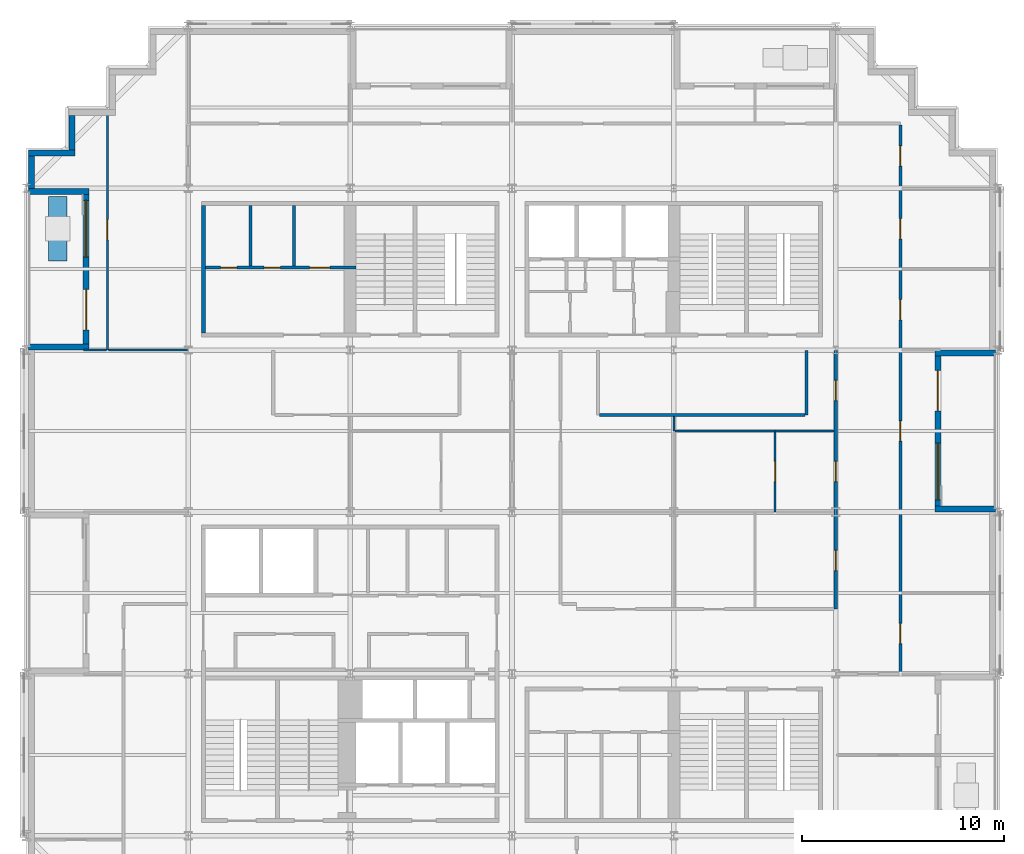
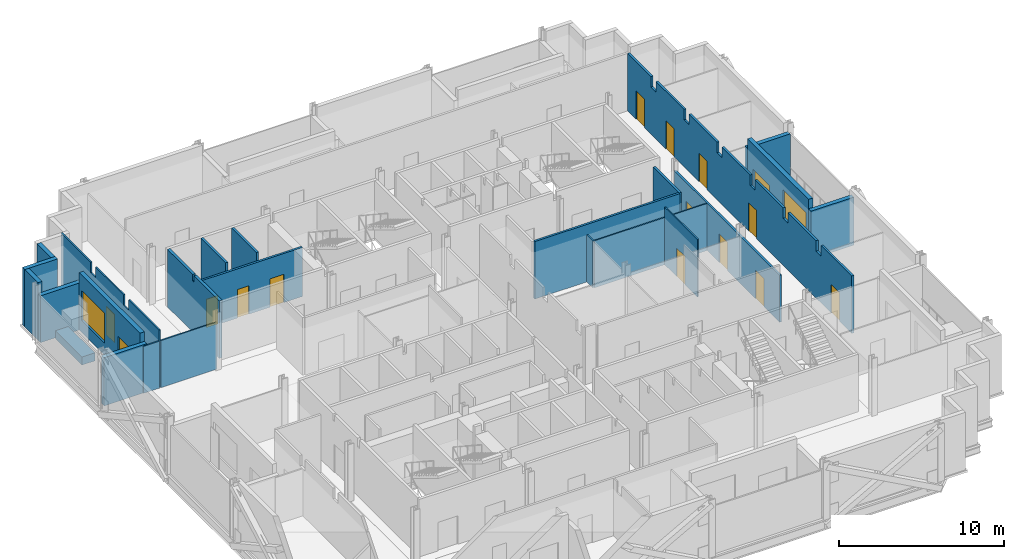
# One storey, part 9 of 15: 25 walls, 15 doors, 2 windows, 17 openings.
"""IFC4 building model written with IfcOpenShell, lengths in metres."""

from ifc_helpers import new_model, si_unit, direction, frame, frame_2d, origin, place, context, subcontext, project, spatial, polyline, rectangle, outline, extrude, material, layer, layer_set, type_object, element, fill, save


model = new_model("IFC4")

# Units and contexts
model_context = context("Model", 3, precision=1e-05, world=origin(), true_north=direction((0.0, 1.0)))
body_context = subcontext(model_context, "Body", "Model", "MODEL_VIEW")
ifc_project = project(units=[si_unit("LENGTHUNIT", "METRE"), si_unit("AREAUNIT", "SQUARE_METRE"), si_unit("VOLUMEUNIT", "CUBIC_METRE"), si_unit("PLANEANGLEUNIT", "RADIAN"), si_unit("MASSUNIT", "GRAM", prefix="KILO")], contexts=[model_context])

# Site, building, storey
site_placement = place(None, origin())
site = spatial("IfcSite", under=ifc_project, at=site_placement, CompositionType="ELEMENT")
building_placement = place(site_placement, origin())
building = spatial("IfcBuilding", under=site, at=building_placement, Name="Immortelle Media Tower", CompositionType="ELEMENT")
storey_placement = place(building_placement, frame((0.0, 0.0, 87.60009765625)))
storey = spatial("IfcBuildingStorey", under=building, at=storey_placement, Name="L16", CompositionType="ELEMENT", Elevation=87.60009765625)

# Wall, openings, doors
ifc_material_1 = material(Name="Fire-rated gypsum board", Category="gypsum")
ifc_layer_1 = layer(ifc_material_1, 0.02490234375)
ifc_material_2 = material(Name="Steel ASTM A653 SS Gr 50 stud frame with mineral wool", Category="steel")
ifc_layer_2 = layer(ifc_material_2, 0.10009765625)
ifc_layer_3 = layer(ifc_material_1, 0.02490234375)
ifc_layer_set_1 = layer_set([ifc_layer_1, ifc_layer_2, ifc_layer_3], Name="Steel ASTM A653 SS Gr 50 stud frame with mineral wool")
wall_type_1 = type_object("IfcWallType", Name="Core partition 150", PredefinedType="PARTITIONING", material=ifc_layer_set_1)
wall_1_placement = place(storey_placement, frame((8.85009765625, 36.074951171875, 0.0), z_axis=(0.0, 0.0, 1.0), x_axis=(1.0, 0.0, 0.0)))
wall_1 = element("IfcWall", 1, at=wall_1_placement, inside=storey, type_object=wall_type_1, Name="Core partition NW", PredefinedType="PARTITIONING", context=body_context, shape_type="SweptSolid", body=[
    extrude(rectangle(XDim=7.449951171875, YDim=0.14990234375, at=frame_2d((3.72509765625, 0.0))), origin(), (0.0, 0.0, 1.0), 3.6318359375),
])
opening_1_placement = place(wall_1_placement, frame((0.75, 0.0, 0.0)))
opening_1 = element("IfcOpeningElement", 2, at=opening_1_placement, cuts=wall_1, Name="Opening N5-K024", PredefinedType="OPENING", context=body_context, shape_type="SweptSolid", body=[
    extrude(rectangle(XDim=0.800048828125, YDim=2.10009765625, at=frame_2d((0.39990234375, 1.050048828125))), frame((0.0, 0.0849609375, 0.0), z_axis=(0.0, -1.0, 0.0), x_axis=(1.0, 0.0, 0.0)), (0.0, 0.0, 1.0), 0.169921875),
])
opening_2_placement = place(wall_1_placement, frame((2.89990234375, 0.0, 0.0)))
opening_2 = element("IfcOpeningElement", 3, at=opening_2_placement, cuts=wall_1, Name="Opening N5-K025", PredefinedType="OPENING", context=body_context, shape_type="SweptSolid", body=[
    extrude(rectangle(XDim=0.800048828125, YDim=2.10009765625, at=frame_2d((0.39990234375, 1.050048828125))), frame((0.0, 0.0849609375, 0.0), z_axis=(0.0, -1.0, 0.0), x_axis=(1.0, 0.0, 0.0)), (0.0, 0.0, 1.0), 0.169921875),
])
opening_3_placement = place(wall_1_placement, frame((5.14990234375, 0.0, 0.0)))
opening_3 = element("IfcOpeningElement", 4, at=opening_3_placement, cuts=wall_1, Name="Opening N5-K027", PredefinedType="OPENING", context=body_context, shape_type="SweptSolid", body=[
    extrude(rectangle(XDim=1.0, YDim=2.10009765625, at=frame_2d((0.5, 1.050048828125))), frame((0.0, 0.0849609375, 0.0), z_axis=(0.0, -1.0, 0.0), x_axis=(1.0, 0.0, 0.0)), (0.0, 0.0, 1.0), 0.169921875),
])
ifc_material_3 = material(Name="Timber", Category="wood")
door_type_1 = type_object("IfcDoorType", Name="Accessible toilet door 1000 x 2100", OperationType="NOTDEFINED", PredefinedType="NOTDEFINED", material=ifc_material_3)
door_1_placement = place(opening_3_placement, origin())
door_1 = element("IfcDoor", 5, at=door_1_placement, inside=storey, type_object=door_type_1, Name="Accessible toilet N5-K027", OperationType="SINGLE_SWING_LEFT", OverallHeight=2.10009765625, OverallWidth=1.0, PredefinedType="NOTDEFINED", context=body_context, shape_type="SweptSolid", body=[
    extrude(rectangle(XDim=1.0, YDim=2.10009765625, at=frame_2d((0.5, 1.050048828125))), frame((0.0, 0.02490234375, 0.0), z_axis=(0.0, -1.0, 0.0), x_axis=(1.0, 0.0, 0.0)), (0.0, 0.0, 1.0), 0.050048828125),
])
fill(opening_3, door_1)
door_type_2 = type_object("IfcDoorType", Name="Toilet door 800 x 2100", OperationType="NOTDEFINED", PredefinedType="NOTDEFINED", material=ifc_material_3)
door_2_placement = place(opening_1_placement, origin())
door_2 = element("IfcDoor", 6, at=door_2_placement, inside=storey, type_object=door_type_2, Name="Toilet N5-K024", OperationType="SINGLE_SWING_RIGHT", OverallHeight=2.10009765625, OverallWidth=0.800048828125, PredefinedType="NOTDEFINED", context=body_context, shape_type="SweptSolid", body=[
    extrude(rectangle(XDim=0.800048828125, YDim=2.10009765625, at=frame_2d((0.39990234375, 1.050048828125))), frame((0.0, 0.02490234375, 0.0), z_axis=(0.0, -1.0, 0.0), x_axis=(1.0, 0.0, 0.0)), (0.0, 0.0, 1.0), 0.050048828125),
])
fill(opening_1, door_2)
door_3_placement = place(opening_2_placement, origin())
door_3 = element("IfcDoor", 7, at=door_3_placement, inside=storey, type_object=door_type_2, Name="Toilet N5-K025", OperationType="SINGLE_SWING_RIGHT", OverallHeight=2.10009765625, OverallWidth=0.800048828125, PredefinedType="NOTDEFINED", context=body_context, shape_type="SweptSolid", body=[
    extrude(rectangle(XDim=0.800048828125, YDim=2.10009765625, at=frame_2d((0.39990234375, 1.050048828125))), frame((0.0, 0.02490234375, 0.0), z_axis=(0.0, -1.0, 0.0), x_axis=(1.0, 0.0, 0.0)), (0.0, 0.0, 1.0), 0.050048828125),
])
fill(opening_2, door_3)

# Walls
for number, where, z_axis, x_axis, name in (
    (8, (11.074951171875, 36.14990234375, 0.0), (0.0, 0.0, 1.0), (0.0, 1.0, 0.0), "Core partition NW"),
    (9, (13.22509765625, 36.14990234375, 0.0), (0.0, 0.0, 1.0), (0.0, 1.0, 0.0), "Core partition NW"),
):
    element("IfcWall", number, at=place(storey_placement, frame(where, z_axis=z_axis, x_axis=x_axis)), inside=storey, type_object=wall_type_1, Name=name, PredefinedType="PARTITIONING", context=body_context, shape_type="SweptSolid", body=[
        extrude(rectangle(XDim=3.0, YDim=0.14990234375, at=frame_2d((1.5, 0.0))), origin(), (0.0, 0.0, 1.0), 4.25),
    ])
ifc_layer_4 = layer(ifc_material_1, 0.03759765625)
ifc_layer_5 = layer(ifc_material_2, 0.125)
ifc_layer_6 = layer(ifc_material_1, 0.03759765625)
ifc_layer_set_2 = layer_set([ifc_layer_4, ifc_layer_5, ifc_layer_6], Name="Steel ASTM A653 SS Gr 50 stud frame with mineral wool")
wall_type_2 = type_object("IfcWallType", Name="Core shaft wall 200", PredefinedType="PARTITIONING", material=ifc_layer_set_2)
wall_2_placement = place(storey_placement, frame((8.75, 32.85009765625, 0.0), z_axis=(0.0, 0.0, 1.0), x_axis=(0.0, 1.0, 0.0)))
element("IfcWall", 10, at=wall_2_placement, inside=storey, type_object=wall_type_2, Name="Core shaft wall NW", PredefinedType="PARTITIONING", context=body_context, shape_type="SweptSolid", body=[
    extrude(outline(polyline([(0.0, 0.0), (6.2998046875, 0.0), (6.300048828125, 4.25), (3.2314453125, 4.25), (3.23046875, 3.788818359375), (3.069580078125, 3.788818359375), (3.068603515625, 4.25), (0.0, 4.25), (0.0, 0.0)])), frame((0.0, 0.10009765625, 0.0), z_axis=(0.0, -1.0, 0.0), x_axis=(1.0, 0.0, 0.0)), (0.0, 0.0, 1.0), 0.199951171875),
])

# Wall, openings, doors
ifc_layer_7 = layer(ifc_material_1, 0.012451171875)
ifc_layer_8 = layer(ifc_material_2, 0.125)
ifc_layer_9 = layer(ifc_material_1, 0.012451171875)
ifc_layer_set_3 = layer_set([ifc_layer_7, ifc_layer_8, ifc_layer_9], Name="Steel ASTM A653 SS Gr 50 stud frame with mineral wool")
wall_type_3 = type_object("IfcWallType", Name="Corridor wall 150", PredefinedType="PARTITIONING", material=ifc_layer_set_3)
wall_3_placement = place(storey_placement, frame((43.199951171875, 16.0, 0.0), z_axis=(0.0, 0.0, 1.0), x_axis=(0.0, 1.0, 0.0)))
wall_3 = element("IfcWall", 11, at=wall_3_placement, inside=storey, type_object=wall_type_3, Name="Partition L16-013", PredefinedType="PARTITIONING", context=body_context, shape_type="SweptSolid", body=[
    extrude(outline(polyline([(0.0, 0.0), (27.125, 0.0), (27.125, 4.25), (24.300048828125, 4.25), (24.298095703125, 3.469970703125), (23.701904296875, 3.469970703125), (23.699951171875, 4.25), (20.300048828125, 4.25), (20.298095703125, 3.469970703125), (19.701904296875, 3.469970703125), (19.699951171875, 4.25), (16.300048828125, 4.25), (16.298095703125, 3.469970703125), (15.701904296875, 3.469970703125), (15.699951171875, 4.25), (12.300048828125, 4.25), (12.298095703125, 3.469970703125), (11.701904296875, 3.469970703125), (11.699951171875, 4.25), (8.300048828125, 4.25), (8.298095703125, 3.469970703125), (7.701904296875, 3.469970703125), (7.699951171875, 4.25), (4.300048828125, 4.25), (4.298095703125, 3.469970703125), (3.701904296875, 3.469970703125), (3.699951171875, 4.25), (0.0, 4.25), (0.0, 0.0)])), frame((0.0, 0.074951171875, 0.0), z_axis=(0.0, -1.0, 0.0), x_axis=(1.0, 0.0, 0.0)), (0.0, 0.0, 1.0), 0.14990234375),
])
opening_4_placement = place(wall_3_placement, frame((2.5, 0.0, 0.0), z_axis=(0.0, 0.0, 1.0), x_axis=(-1.0, 0.0, 0.0)))
opening_4 = element("IfcOpeningElement", 12, at=opening_4_placement, cuts=wall_3, Name="Opening N5-F012", PredefinedType="OPENING", context=body_context, shape_type="SweptSolid", body=[
    extrude(rectangle(XDim=1.0, YDim=2.10009765625, at=frame_2d((0.5, 1.050048828125))), frame((0.0, 0.0849609375, 0.0), z_axis=(0.0, -1.0, 0.0), x_axis=(1.0, 0.0, 0.0)), (0.0, 0.0, 1.0), 0.169921875),
])
opening_5_placement = place(wall_3_placement, frame((12.5, 0.0, 0.0), z_axis=(0.0, 0.0, 1.0), x_axis=(-1.0, 0.0, 0.0)))
opening_5 = element("IfcOpeningElement", 13, at=opening_5_placement, cuts=wall_3, Name="Opening N5-F013", PredefinedType="OPENING", context=body_context, shape_type="SweptSolid", body=[
    extrude(rectangle(XDim=1.0, YDim=2.10009765625, at=frame_2d((0.5, 1.050048828125))), frame((0.0, 0.0849609375, 0.0), z_axis=(0.0, -1.0, 0.0), x_axis=(1.0, 0.0, 0.0)), (0.0, 0.0, 1.0), 0.169921875),
])
opening_6_placement = place(wall_3_placement, frame((18.5, 0.0, 0.0), z_axis=(0.0, 0.0, 1.0), x_axis=(-1.0, 0.0, 0.0)))
opening_6 = element("IfcOpeningElement", 14, at=opening_6_placement, cuts=wall_3, Name="Opening N5-F022", PredefinedType="OPENING", context=body_context, shape_type="SweptSolid", body=[
    extrude(rectangle(XDim=1.0, YDim=2.10009765625, at=frame_2d((0.5, 1.050048828125))), frame((0.0, 0.0849609375, 0.0), z_axis=(0.0, -1.0, 0.0), x_axis=(1.0, 0.0, 0.0)), (0.0, 0.0, 1.0), 0.169921875),
])
opening_7_placement = place(wall_3_placement, frame((22.5, 0.0, 0.0), z_axis=(0.0, 0.0, 1.0), x_axis=(-1.0, 0.0, 0.0)))
opening_7 = element("IfcOpeningElement", 15, at=opening_7_placement, cuts=wall_3, Name="Opening N5-F023", PredefinedType="OPENING", context=body_context, shape_type="SweptSolid", body=[
    extrude(rectangle(XDim=1.0, YDim=2.10009765625, at=frame_2d((0.5, 1.050048828125))), frame((0.0, 0.0849609375, 0.0), z_axis=(0.0, -1.0, 0.0), x_axis=(1.0, 0.0, 0.0)), (0.0, 0.0, 1.0), 0.169921875),
])
opening_8_placement = place(wall_3_placement, frame((26.10009765625, 0.0, 0.0), z_axis=(0.0, 0.0, 1.0), x_axis=(-1.0, 0.0, 0.0)))
opening_8 = element("IfcOpeningElement", 16, at=opening_8_placement, cuts=wall_3, Name="Opening N5-F026", PredefinedType="OPENING", context=body_context, shape_type="SweptSolid", body=[
    extrude(rectangle(XDim=1.0, YDim=2.10009765625, at=frame_2d((0.5, 1.050048828125))), frame((0.0, 0.0849609375, 0.0), z_axis=(0.0, -1.0, 0.0), x_axis=(1.0, 0.0, 0.0)), (0.0, 0.0, 1.0), 0.169921875),
])
ifc_material_4 = material(Name="Timber veneered door leaf, galvanised steel frame ASTM A653", Category="steel")
door_type_3 = type_object("IfcDoorType", Name="Room door 1000 x 2100", OperationType="NOTDEFINED", PredefinedType="DOOR", material=ifc_material_4)
door_4_placement = place(opening_4_placement, origin())
door_4 = element("IfcDoor", 17, at=door_4_placement, inside=storey, type_object=door_type_3, Name="Door N5-F012", OperationType="SINGLE_SWING_RIGHT", OverallHeight=2.10009765625, OverallWidth=1.0, PredefinedType="DOOR", context=body_context, shape_type="SweptSolid", body=[
    extrude(rectangle(XDim=1.0, YDim=2.10009765625, at=frame_2d((0.5, 1.050048828125))), frame((0.0, 0.02490234375, 0.0), z_axis=(0.0, -1.0, 0.0), x_axis=(1.0, 0.0, 0.0)), (0.0, 0.0, 1.0), 0.050048828125),
])
fill(opening_4, door_4)
door_5_placement = place(opening_5_placement, origin())
door_5 = element("IfcDoor", 18, at=door_5_placement, inside=storey, type_object=door_type_3, Name="Door N5-F013", OperationType="SINGLE_SWING_LEFT", OverallHeight=2.10009765625, OverallWidth=1.0, PredefinedType="DOOR", context=body_context, shape_type="SweptSolid", body=[
    extrude(rectangle(XDim=1.0, YDim=2.10009765625, at=frame_2d((0.5, 1.050048828125))), frame((0.0, 0.02490234375, 0.0), z_axis=(0.0, -1.0, 0.0), x_axis=(1.0, 0.0, 0.0)), (0.0, 0.0, 1.0), 0.050048828125),
])
fill(opening_5, door_5)
door_6_placement = place(opening_6_placement, origin())
door_6 = element("IfcDoor", 19, at=door_6_placement, inside=storey, type_object=door_type_3, Name="Door N5-F022", OperationType="SINGLE_SWING_RIGHT", OverallHeight=2.10009765625, OverallWidth=1.0, PredefinedType="DOOR", context=body_context, shape_type="SweptSolid", body=[
    extrude(rectangle(XDim=1.0, YDim=2.10009765625, at=frame_2d((0.5, 1.050048828125))), frame((0.0, 0.02490234375, 0.0), z_axis=(0.0, -1.0, 0.0), x_axis=(1.0, 0.0, 0.0)), (0.0, 0.0, 1.0), 0.050048828125),
])
fill(opening_6, door_6)
door_7_placement = place(opening_7_placement, origin())
door_7 = element("IfcDoor", 20, at=door_7_placement, inside=storey, type_object=door_type_3, Name="Door N5-F023", OperationType="SINGLE_SWING_LEFT", OverallHeight=2.10009765625, OverallWidth=1.0, PredefinedType="DOOR", context=body_context, shape_type="SweptSolid", body=[
    extrude(rectangle(XDim=1.0, YDim=2.10009765625, at=frame_2d((0.5, 1.050048828125))), frame((0.0, 0.02490234375, 0.0), z_axis=(0.0, -1.0, 0.0), x_axis=(1.0, 0.0, 0.0)), (0.0, 0.0, 1.0), 0.050048828125),
])
fill(opening_7, door_7)
door_8_placement = place(opening_8_placement, origin())
door_8 = element("IfcDoor", 21, at=door_8_placement, inside=storey, type_object=door_type_3, Name="Door N5-F026", OperationType="SINGLE_SWING_RIGHT", OverallHeight=2.10009765625, OverallWidth=1.0, PredefinedType="DOOR", context=body_context, shape_type="SweptSolid", body=[
    extrude(rectangle(XDim=1.0, YDim=2.10009765625, at=frame_2d((0.5, 1.050048828125))), frame((0.0, 0.02490234375, 0.0), z_axis=(0.0, -1.0, 0.0), x_axis=(1.0, 0.0, 0.0)), (0.0, 0.0, 1.0), 0.050048828125),
])
fill(opening_8, door_8)

wall_4_placement = place(storey_placement, frame((40.0, 19.199951171875, 0.0), z_axis=(0.0, 0.0, 1.0), x_axis=(0.0, 1.0, 0.0)))
wall_4 = element("IfcWall", 22, at=wall_4_placement, inside=storey, type_object=wall_type_3, Name="Partition L16-017", PredefinedType="PARTITIONING", context=body_context, shape_type="SweptSolid", body=[
    extrude(rectangle(XDim=12.77001953125, YDim=0.14990234375, at=frame_2d((6.385009765625, 0.0))), origin(), (0.0, 0.0, 1.0), 3.469970703125),
])
opening_9_placement = place(wall_4_placement, frame((1.89990234375, 0.0, 0.0)))
opening_9 = element("IfcOpeningElement", 23, at=opening_9_placement, cuts=wall_4, Name="Opening N5-F011", PredefinedType="OPENING", context=body_context, shape_type="SweptSolid", body=[
    extrude(rectangle(XDim=1.0, YDim=2.10009765625, at=frame_2d((0.5, 1.050048828125))), frame((0.0, 0.0849609375, 0.0), z_axis=(0.0, -1.0, 0.0), x_axis=(1.0, 0.0, 0.0)), (0.0, 0.0, 1.0), 0.169921875),
])
opening_10_placement = place(wall_4_placement, frame((6.300048828125, 0.0, 0.0)))
opening_10 = element("IfcOpeningElement", 24, at=opening_10_placement, cuts=wall_4, Name="Opening N5-F014", PredefinedType="OPENING", context=body_context, shape_type="SweptSolid", body=[
    extrude(rectangle(XDim=1.0, YDim=2.10009765625, at=frame_2d((0.5, 1.050048828125))), frame((0.0, 0.0849609375, 0.0), z_axis=(0.0, -1.0, 0.0), x_axis=(1.0, 0.0, 0.0)), (0.0, 0.0, 1.0), 0.169921875),
])
opening_11_placement = place(wall_4_placement, frame((10.300048828125, 0.0, 0.0)))
opening_11 = element("IfcOpeningElement", 25, at=opening_11_placement, cuts=wall_4, Name="Opening N5-F016", PredefinedType="OPENING", context=body_context, shape_type="SweptSolid", body=[
    extrude(rectangle(XDim=1.0, YDim=2.10009765625, at=frame_2d((0.5, 1.050048828125))), frame((0.0, 0.0849609375, 0.0), z_axis=(0.0, -1.0, 0.0), x_axis=(1.0, 0.0, 0.0)), (0.0, 0.0, 1.0), 0.169921875),
])
door_9_placement = place(opening_9_placement, origin())
door_9 = element("IfcDoor", 26, at=door_9_placement, inside=storey, type_object=door_type_3, Name="Door N5-F011", OperationType="SINGLE_SWING_LEFT", OverallHeight=2.10009765625, OverallWidth=1.0, PredefinedType="DOOR", context=body_context, shape_type="SweptSolid", body=[
    extrude(rectangle(XDim=1.0, YDim=2.10009765625, at=frame_2d((0.5, 1.050048828125))), frame((0.0, 0.02490234375, 0.0), z_axis=(0.0, -1.0, 0.0), x_axis=(1.0, 0.0, 0.0)), (0.0, 0.0, 1.0), 0.050048828125),
])
fill(opening_9, door_9)
door_10_placement = place(opening_10_placement, origin())
door_10 = element("IfcDoor", 27, at=door_10_placement, inside=storey, type_object=door_type_3, Name="Door N5-F014", OperationType="SINGLE_SWING_LEFT", OverallHeight=2.10009765625, OverallWidth=1.0, PredefinedType="DOOR", context=body_context, shape_type="SweptSolid", body=[
    extrude(rectangle(XDim=1.0, YDim=2.10009765625, at=frame_2d((0.5, 1.050048828125))), frame((0.0, 0.02490234375, 0.0), z_axis=(0.0, -1.0, 0.0), x_axis=(1.0, 0.0, 0.0)), (0.0, 0.0, 1.0), 0.050048828125),
])
fill(opening_10, door_10)
door_11_placement = place(opening_11_placement, origin())
door_11 = element("IfcDoor", 28, at=door_11_placement, inside=storey, type_object=door_type_3, Name="Door N5-F016", OperationType="SINGLE_SWING_RIGHT", OverallHeight=2.10009765625, OverallWidth=1.0, PredefinedType="DOOR", context=body_context, shape_type="SweptSolid", body=[
    extrude(rectangle(XDim=1.0, YDim=2.10009765625, at=frame_2d((0.5, 1.050048828125))), frame((0.0, 0.02490234375, 0.0), z_axis=(0.0, -1.0, 0.0), x_axis=(1.0, 0.0, 0.0)), (0.0, 0.0, 1.0), 0.050048828125),
])
fill(opening_11, door_11)

# Walls
wall_5_placement = place(storey_placement, frame((28.324951171875, 28.800048828125, 0.0), z_axis=(0.0, 0.0, 1.0), x_axis=(1.0, 0.0, 0.0)))
element("IfcWall", 29, at=wall_5_placement, inside=storey, type_object=wall_type_3, Name="Partition L16-041", PredefinedType="PARTITIONING", context=body_context, shape_type="SweptSolid", body=[
    extrude(rectangle(XDim=10.150146484375, YDim=0.14990234375, at=frame_2d((5.0751953125, 0.0))), origin(), (0.0, 0.0, 1.0), 4.25),
])
wall_6_placement = place(storey_placement, frame((38.550048828125, 28.800048828125, 0.0), z_axis=(0.0, 0.0, 1.0), x_axis=(0.0, 1.0, 0.0)))
element("IfcWall", 30, at=wall_6_placement, inside=storey, type_object=wall_type_3, Name="Partition L16-043", PredefinedType="PARTITIONING", context=body_context, shape_type="SweptSolid", body=[
    extrude(rectangle(XDim=3.169921875, YDim=0.14990234375, at=frame_2d((1.5849609375, 0.0))), origin(), (0.0, 0.0, 1.0), 4.25),
])
ifc_material_5 = material(Name="Pale aluminium cladding panel", Category="aluminium")
ifc_layer_10 = layer(ifc_material_5, 0.030029296875)
ifc_layer_11 = layer(ifc_material_2, 0.257568359375)
ifc_material_6 = material(Name="Moisture-resistant gypsum board", Category="gypsum")
ifc_layer_12 = layer(ifc_material_6, 0.012451171875)
ifc_layer_set_4 = layer_set([ifc_layer_10, ifc_layer_11, ifc_layer_12], Name="Steel ASTM A653 SS Gr 50 stud frame with mineral wool")
wall_type_4 = type_object("IfcWallType", Name="Facade wall 300", PredefinedType="SOLIDWALL", material=ifc_layer_set_4)
wall_7_placement = place(storey_placement, frame((0.25, 41.60009765625, 0.0), z_axis=(0.0, 0.0, 1.0), x_axis=(0.0, -1.0, 0.0)))
element("IfcWall", 31, at=wall_7_placement, inside=storey, type_object=wall_type_4, Name="Facade wall L16 W0", PredefinedType="SOLIDWALL", context=body_context, shape_type="SweptSolid", body=[
    extrude(rectangle(XDim=1.60009765625, YDim=0.300048828125, at=frame_2d((0.800048828125, 0.0))), origin(), (0.0, 0.0, 1.0), 4.25),
])

# Wall, openings, door, window
wall_8_placement = place(storey_placement, frame((2.949951171875, 39.699951171875, 0.0), z_axis=(0.0, 0.0, 1.0), x_axis=(0.0, -1.0, 0.0)))
wall_8 = element("IfcWall", 32, at=wall_8_placement, inside=storey, type_object=wall_type_4, Name="Loggia wall L16 W0", PredefinedType="SOLIDWALL", context=body_context, shape_type="SweptSolid", body=[
    extrude(rectangle(XDim=7.39990234375, YDim=0.300048828125, at=frame_2d((3.699951171875, 0.0))), origin(), (0.0, 0.0, 1.0), 4.25),
])
opening_12_placement = place(wall_8_placement, frame((0.300048828125, 0.0, 0.89990234375)))
opening_12 = element("IfcOpeningElement", 33, at=opening_12_placement, cuts=wall_8, Name="Opening W1", PredefinedType="OPENING", context=body_context, shape_type="SweptSolid", body=[
    extrude(rectangle(XDim=2.800048828125, YDim=2.199951171875, at=frame_2d((1.39990234375, 1.10009765625))), frame((0.0, 0.159912109375, 0.0), z_axis=(0.0, -1.0, 0.0), x_axis=(1.0, 0.0, 0.0)), (0.0, 0.0, 1.0), 0.320068359375),
])
opening_13_placement = place(wall_8_placement, frame((4.699951171875, 0.0, 0.0)))
opening_13 = element("IfcOpeningElement", 34, at=opening_13_placement, cuts=wall_8, Name="Opening N5-E001", PredefinedType="OPENING", context=body_context, shape_type="SweptSolid", body=[
    extrude(rectangle(XDim=2.0, YDim=2.39990234375, at=frame_2d((1.0, 1.199951171875))), frame((0.0, 0.159912109375, 0.0), z_axis=(0.0, -1.0, 0.0), x_axis=(1.0, 0.0, 0.0)), (0.0, 0.0, 1.0), 0.320068359375),
])
ifc_material_7 = material(Name="Aluminium frame, glazed leaves", Category="aluminium")
door_type_4 = type_object("IfcDoorType", Name="Loggia door 2000 x 2400", OperationType="DOUBLE_DOOR_SINGLE_SWING", PredefinedType="DOOR", material=ifc_material_7)
door_12_placement = place(opening_13_placement, origin())
door_12 = element("IfcDoor", 35, at=door_12_placement, inside=storey, type_object=door_type_4, Name="Door N5-E001", OperationType="DOUBLE_DOOR_SINGLE_SWING", OverallHeight=2.39990234375, OverallWidth=2.0, PredefinedType="DOOR", context=body_context, shape_type="SweptSolid", body=[
    extrude(rectangle(XDim=2.0, YDim=2.39990234375, at=frame_2d((1.0, 1.199951171875))), frame((0.0, 0.02490234375, 0.0), z_axis=(0.0, -1.0, 0.0), x_axis=(1.0, 0.0, 0.0)), (0.0, 0.0, 1.0), 0.050048828125),
])
fill(opening_13, door_12)
ifc_material_8 = material(Name="Aluminium frame", Category="aluminium")
window_type = type_object("IfcWindowType", Name="Window 2800 x 2200", PartitioningType="SINGLE_PANEL", PredefinedType="WINDOW", material=ifc_material_8)
window_1_placement = place(opening_12_placement, origin())
window_1 = element("IfcWindow", 36, at=window_1_placement, inside=storey, type_object=window_type, Name="Window L16 L16-R0-B0", OverallHeight=2.199951171875, OverallWidth=2.800048828125, PartitioningType="SINGLE_PANEL", PredefinedType="WINDOW", context=body_context, shape_type="SweptSolid", body=[
    extrude(rectangle(XDim=2.800048828125, YDim=2.199951171875, at=frame_2d((1.39990234375, 1.10009765625))), frame((0.0, 0.030029296875, 0.0), z_axis=(0.0, -1.0, 0.0), x_axis=(1.0, 0.0, 0.0)), (0.0, 0.0, 1.0), 0.06005859375),
])
fill(opening_12, window_1)

# Walls
wall_9_placement = place(storey_placement, frame((0.10009765625, 39.85009765625, 0.0), z_axis=(0.0, 0.0, 1.0), x_axis=(1.0, 0.0, 0.0)))
element("IfcWall", 37, at=wall_9_placement, inside=storey, type_object=wall_type_4, Name="Loggia cheek wall L16 W", PredefinedType="SOLIDWALL", context=body_context, shape_type="SweptSolid", body=[
    extrude(rectangle(XDim=3.0, YDim=0.300048828125, at=frame_2d((1.5, 0.0))), origin(), (0.0, 0.0, 1.0), 3.468994140625),
])
wall_10_placement = place(storey_placement, frame((0.10009765625, 32.14990234375, 0.0), z_axis=(0.0, 0.0, 1.0), x_axis=(1.0, 0.0, 0.0)))
element("IfcWall", 38, at=wall_10_placement, inside=storey, type_object=wall_type_4, Name="Loggia cheek wall L16 W", PredefinedType="SOLIDWALL", context=body_context, shape_type="SweptSolid", body=[
    extrude(rectangle(XDim=3.0, YDim=0.300048828125, at=frame_2d((1.5, 0.0))), origin(), (0.0, 0.0, 1.0), 3.555908203125),
])

# Wall, openings, door, window
wall_11_placement = place(storey_placement, frame((45.050048828125, 24.300048828125, 0.0), z_axis=(0.0, 0.0, 1.0), x_axis=(0.0, 1.0, 0.0)))
wall_11 = element("IfcWall", 39, at=wall_11_placement, inside=storey, type_object=wall_type_4, Name="Loggia wall L16 E14", PredefinedType="SOLIDWALL", context=body_context, shape_type="SweptSolid", body=[
    extrude(rectangle(XDim=7.39990234375, YDim=0.300048828125, at=frame_2d((3.699951171875, 0.0))), origin(), (0.0, 0.0, 1.0), 4.25),
])
opening_14_placement = place(wall_11_placement, frame((0.300048828125, 0.0, 0.89990234375)))
opening_14 = element("IfcOpeningElement", 40, at=opening_14_placement, cuts=wall_11, Name="Opening W1", PredefinedType="OPENING", context=body_context, shape_type="SweptSolid", body=[
    extrude(rectangle(XDim=2.800048828125, YDim=2.199951171875, at=frame_2d((1.39990234375, 1.10009765625))), frame((0.0, 0.159912109375, 0.0), z_axis=(0.0, -1.0, 0.0), x_axis=(1.0, 0.0, 0.0)), (0.0, 0.0, 1.0), 0.320068359375),
])
opening_15_placement = place(wall_11_placement, frame((4.699951171875, 0.0, 0.0)))
opening_15 = element("IfcOpeningElement", 41, at=opening_15_placement, cuts=wall_11, Name="Opening N5-E006", PredefinedType="OPENING", context=body_context, shape_type="SweptSolid", body=[
    extrude(rectangle(XDim=2.0, YDim=2.39990234375, at=frame_2d((1.0, 1.199951171875))), frame((0.0, 0.159912109375, 0.0), z_axis=(0.0, -1.0, 0.0), x_axis=(1.0, 0.0, 0.0)), (0.0, 0.0, 1.0), 0.320068359375),
])
door_13_placement = place(opening_15_placement, origin())
door_13 = element("IfcDoor", 42, at=door_13_placement, inside=storey, type_object=door_type_4, Name="Door N5-E006", OperationType="DOUBLE_DOOR_SINGLE_SWING", OverallHeight=2.39990234375, OverallWidth=2.0, PredefinedType="DOOR", context=body_context, shape_type="SweptSolid", body=[
    extrude(rectangle(XDim=2.0, YDim=2.39990234375, at=frame_2d((1.0, 1.199951171875))), frame((0.0, 0.02490234375, 0.0), z_axis=(0.0, -1.0, 0.0), x_axis=(1.0, 0.0, 0.0)), (0.0, 0.0, 1.0), 0.050048828125),
])
fill(opening_15, door_13)
window_2_placement = place(opening_14_placement, origin())
window_2 = element("IfcWindow", 43, at=window_2_placement, inside=storey, type_object=window_type, Name="Window L16 L16-R14-B2", OverallHeight=2.199951171875, OverallWidth=2.800048828125, PartitioningType="SINGLE_PANEL", PredefinedType="WINDOW", context=body_context, shape_type="SweptSolid", body=[
    extrude(rectangle(XDim=2.800048828125, YDim=2.199951171875, at=frame_2d((1.39990234375, 1.10009765625))), frame((0.0, 0.030029296875, 0.0), z_axis=(0.0, -1.0, 0.0), x_axis=(1.0, 0.0, 0.0)), (0.0, 0.0, 1.0), 0.06005859375),
])
fill(opening_14, window_2)

# Walls
for number, where, z_axis, x_axis, name in (
    (44, (47.89990234375, 24.14990234375, 0.0), (0.0, 0.0, 1.0), (-1.0, 0.0, 0.0), "Loggia cheek wall L16 E"),
    (45, (47.89990234375, 31.85009765625, 0.0), (0.0, 0.0, 1.0), (-1.0, 0.0, 0.0), "Loggia cheek wall L16 E"),
):
    element("IfcWall", number, at=place(storey_placement, frame(where, z_axis=z_axis, x_axis=x_axis)), inside=storey, type_object=wall_type_4, Name=name, PredefinedType="SOLIDWALL", context=body_context, shape_type="SweptSolid", body=[
        extrude(rectangle(XDim=3.0, YDim=0.300048828125, at=frame_2d((1.5, 0.0))), origin(), (0.0, 0.0, 1.0), 3.555908203125),
    ])
wall_12_placement = place(storey_placement, frame((2.25, 43.60009765625, 0.0), z_axis=(0.0, 0.0, 1.0), x_axis=(0.0, -1.0, 0.0)))
element("IfcWall", 46, at=wall_12_placement, inside=storey, type_object=wall_type_4, Name="Facade wall L16 W26", PredefinedType="SOLIDWALL", context=body_context, shape_type="SweptSolid", body=[
    extrude(rectangle(XDim=1.7001953125, YDim=0.300048828125, at=frame_2d((0.85009765625, 0.0))), origin(), (0.0, 0.0, 1.0), 4.25),
])
wall_13_placement = place(storey_placement, frame((2.39990234375, 41.75, 0.0), z_axis=(0.0, 0.0, 1.0), x_axis=(-1.0, 0.0, 0.0)))
element("IfcWall", 47, at=wall_13_placement, inside=storey, type_object=wall_type_4, Name="Facade wall L16 N27", PredefinedType="SOLIDWALL", context=body_context, shape_type="SweptSolid", body=[
    extrude(rectangle(XDim=2.2998046875, YDim=0.300048828125, at=frame_2d((1.14990234375, 0.0))), origin(), (0.0, 0.0, 1.0), 4.25),
])

# Wall, opening, door
ifc_material_9 = material(Name="Gypsum board", Category="gypsum")
ifc_layer_13 = layer(ifc_material_9, 0.012451171875)
ifc_layer_14 = layer(ifc_material_2, 0.074951171875)
ifc_layer_15 = layer(ifc_material_9, 0.012451171875)
ifc_layer_set_5 = layer_set([ifc_layer_13, ifc_layer_14, ifc_layer_15], Name="Steel ASTM A653 SS Gr 50 stud frame with mineral wool")
wall_type_5 = type_object("IfcWallType", Name="Partition 100", PredefinedType="PARTITIONING", material=ifc_layer_set_5)
wall_14_placement = place(storey_placement, frame((37.0, 24.0, 0.0), z_axis=(0.0, 0.0, 1.0), x_axis=(0.0, 1.0, 0.0)))
wall_14 = element("IfcWall", 48, at=wall_14_placement, inside=storey, type_object=wall_type_5, Name="Partition L16-028", PredefinedType="PARTITIONING", context=body_context, shape_type="SweptSolid", body=[
    extrude(rectangle(XDim=3.949951171875, YDim=0.10009765625, at=frame_2d((1.97509765625, 0.0))), origin(), (0.0, 0.0, 1.0), 4.25),
])
opening_16_placement = place(wall_14_placement, frame((1.5, 0.0, 0.0)))
opening_16 = element("IfcOpeningElement", 49, at=opening_16_placement, cuts=wall_14, Name="Opening N5-F015", PredefinedType="OPENING", context=body_context, shape_type="SweptSolid", body=[
    extrude(rectangle(XDim=1.0, YDim=2.10009765625, at=frame_2d((0.5, 1.050048828125))), frame((0.0, 0.06005859375, 0.0), z_axis=(0.0, -1.0, 0.0), x_axis=(1.0, 0.0, 0.0)), (0.0, 0.0, 1.0), 0.1201171875),
])
door_14_placement = place(opening_16_placement, origin())
door_14 = element("IfcDoor", 50, at=door_14_placement, inside=storey, type_object=door_type_3, Name="Door N5-F015", OperationType="SINGLE_SWING_LEFT", OverallHeight=2.10009765625, OverallWidth=1.0, PredefinedType="DOOR", context=body_context, shape_type="SweptSolid", body=[
    extrude(rectangle(XDim=1.0, YDim=2.10009765625, at=frame_2d((0.5, 1.050048828125))), frame((0.0, 0.02490234375, 0.0), z_axis=(0.0, -1.0, 0.0), x_axis=(1.0, 0.0, 0.0)), (0.0, 0.0, 1.0), 0.050048828125),
])
fill(opening_16, door_14)

# Walls
wall_15_placement = place(storey_placement, frame((32.050048828125, 28.0, 0.0), z_axis=(0.0, 0.0, 1.0), x_axis=(1.0, 0.0, 0.0)))
element("IfcWall", 51, at=wall_15_placement, inside=storey, type_object=wall_type_5, Name="Partition L16-035", PredefinedType="PARTITIONING", context=body_context, shape_type="SweptSolid", body=[
    extrude(rectangle(XDim=4.949951171875, YDim=0.10009765625, at=frame_2d((2.47509765625, 0.0))), origin(), (0.0, 0.0, 1.0), 3.469970703125),
])
wall_16_placement = place(storey_placement, frame((32.0, 28.0, 0.0), z_axis=(0.0, 0.0, 1.0), x_axis=(0.0, 1.0, 0.0)))
element("IfcWall", 52, at=wall_16_placement, inside=storey, type_object=wall_type_5, Name="Partition L16-036", PredefinedType="PARTITIONING", context=body_context, shape_type="SweptSolid", body=[
    extrude(rectangle(XDim=0.72509765625, YDim=0.10009765625, at=frame_2d((0.362548828125, 0.0))), origin(), (0.0, 0.0, 1.0), 3.469970703125),
])
wall_17_placement = place(storey_placement, frame((37.0, 28.0, 0.0), z_axis=(0.0, 0.0, 1.0), x_axis=(1.0, 0.0, 0.0)))
element("IfcWall", 53, at=wall_17_placement, inside=storey, type_object=wall_type_5, Name="Partition L16-037", PredefinedType="PARTITIONING", context=body_context, shape_type="SweptSolid", body=[
    extrude(rectangle(XDim=2.925048828125, YDim=0.10009765625, at=frame_2d((1.46240234375, 0.0))), origin(), (0.0, 0.0, 1.0), 3.469970703125),
])
wall_18_placement = place(storey_placement, frame((2.830078125, 32.0, 0.0), z_axis=(0.0, 0.0, 1.0), x_axis=(1.0, 0.0, 0.0)))
element("IfcWall", 54, at=wall_18_placement, inside=storey, type_object=wall_type_5, Name="Partition L16-044", PredefinedType="PARTITIONING", context=body_context, shape_type="SweptSolid", body=[
    extrude(rectangle(XDim=1.119873046875, YDim=0.10009765625, at=frame_2d((0.56005859375, 0.0))), origin(), (0.0, 0.0, 1.0), 3.469970703125),
])
wall_19_placement = place(storey_placement, frame((4.050048828125, 32.0, 0.0), z_axis=(0.0, 0.0, 1.0), x_axis=(1.0, 0.0, 0.0)))
element("IfcWall", 55, at=wall_19_placement, inside=storey, type_object=wall_type_5, Name="Partition L16-045", PredefinedType="PARTITIONING", context=body_context, shape_type="SweptSolid", body=[
    extrude(rectangle(XDim=3.919921875, YDim=0.10009765625, at=frame_2d((1.9599609375, 0.0))), origin(), (0.0, 0.0, 1.0), 3.469970703125),
])

# Wall, opening, door
wall_20_placement = place(storey_placement, frame((4.0, 32.0, 0.0), z_axis=(0.0, 0.0, 1.0), x_axis=(0.0, 1.0, 0.0)))
wall_20 = element("IfcWall", 56, at=wall_20_placement, inside=storey, type_object=wall_type_5, Name="Partition L16-046", PredefinedType="PARTITIONING", context=body_context, shape_type="SweptSolid", body=[
    extrude(outline(polyline([(0.0, 0.0), (11.8701171875, 0.0), (11.8701171875, 4.25), (8.300048828125, 4.25), (8.298095703125, 3.469970703125), (7.701904296875, 3.469970703125), (7.699951171875, 4.25), (4.300048828125, 4.25), (4.298095703125, 3.469970703125), (3.701904296875, 3.469970703125), (3.699951171875, 4.25), (0.0, 4.25), (0.0, 0.0)])), frame((0.0, 0.050048828125, 0.0), z_axis=(0.0, -1.0, 0.0), x_axis=(1.0, 0.0, 0.0)), (0.0, 0.0, 1.0), 0.10009765625),
])
opening_17_placement = place(wall_20_placement, frame((5.449951171875, 0.0, 0.0)))
opening_17 = element("IfcOpeningElement", 57, at=opening_17_placement, cuts=wall_20, Name="Opening N5-F025", PredefinedType="OPENING", context=body_context, shape_type="SweptSolid", body=[
    extrude(rectangle(XDim=1.0, YDim=2.10009765625, at=frame_2d((0.5, 1.050048828125))), frame((0.0, 0.06005859375, 0.0), z_axis=(0.0, -1.0, 0.0), x_axis=(1.0, 0.0, 0.0)), (0.0, 0.0, 1.0), 0.1201171875),
])
door_15_placement = place(opening_17_placement, origin())
door_15 = element("IfcDoor", 58, at=door_15_placement, inside=storey, type_object=door_type_3, Name="Door N5-F025", OperationType="SINGLE_SWING_RIGHT", OverallHeight=2.10009765625, OverallWidth=1.0, PredefinedType="DOOR", context=body_context, shape_type="SweptSolid", body=[
    extrude(rectangle(XDim=1.0, YDim=2.10009765625, at=frame_2d((0.5, 1.050048828125))), frame((0.0, 0.02490234375, 0.0), z_axis=(0.0, -1.0, 0.0), x_axis=(1.0, 0.0, 0.0)), (0.0, 0.0, 1.0), 0.050048828125),
])
fill(opening_17, door_15)

# Wall
ifc_layer_16 = layer(ifc_material_5, 0.0029296875)
ifc_material_10 = material(Name="Steel ASTM A572 Gr 50 planter shell", Category="steel")
ifc_layer_17 = layer(ifc_material_10, 0.011962890625)
ifc_material_11 = material(Name="Planting substrate", Category="soil")
ifc_layer_18 = layer(ifc_material_11, 0.873046875)
ifc_layer_19 = layer(ifc_material_10, 0.011962890625)
ifc_layer_set_6 = layer_set([ifc_layer_16, ifc_layer_17, ifc_layer_18, ifc_layer_19], Name="Steel ASTM A572 Gr 50 planter shell")
wall_type_6 = type_object("IfcWallType", Name="Planter wall 900", PredefinedType="SOLIDWALL", material=ifc_layer_set_6)
wall_21_placement = place(storey_placement, frame((1.550048828125, 39.60009765625, 0.0), z_axis=(0.0, 0.0, 1.0), x_axis=(0.0, -1.0, 0.0)))
element("IfcWall", 59, at=wall_21_placement, inside=storey, type_object=wall_type_6, Name="Planter L16 W0", PredefinedType="SOLIDWALL", context=body_context, shape_type="SweptSolid", body=[
    extrude(rectangle(XDim=3.2001953125, YDim=0.89990234375, at=frame_2d((1.60009765625, 0.0))), origin(), (0.0, 0.0, 1.0), 0.599853515625),
])

save(model, "model.ifc")
